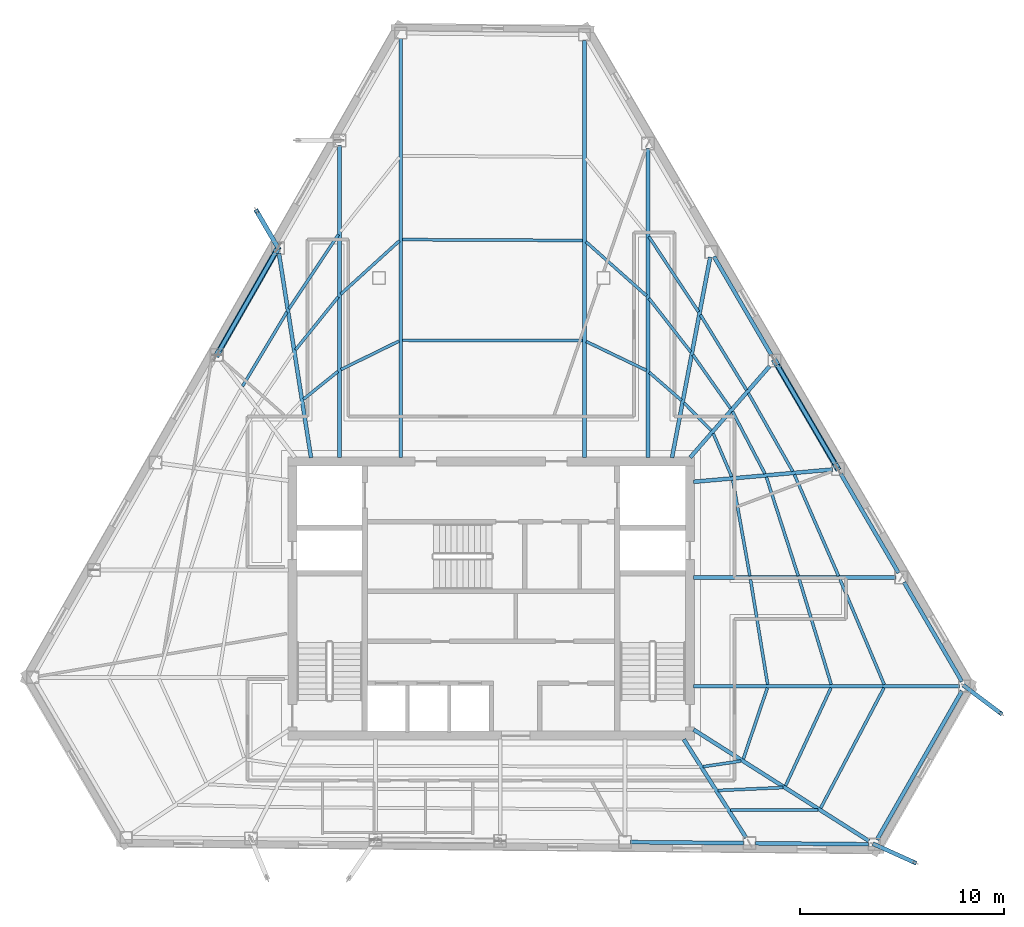
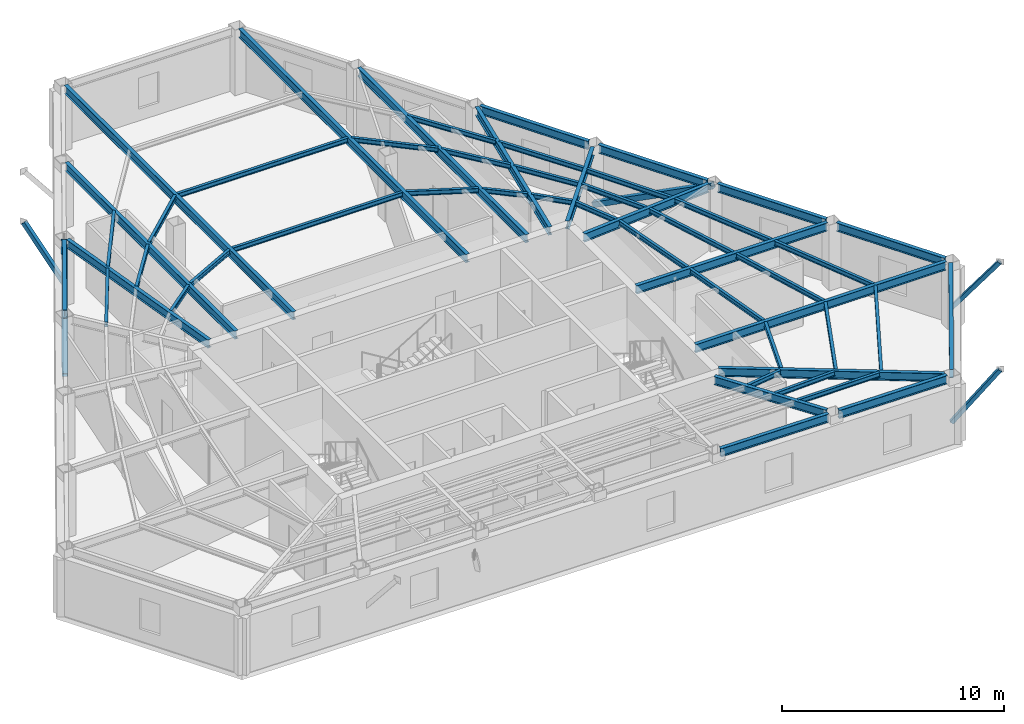
# One storey, part 2 of 10: 51 beams, 5 members.
"""IFC4 building model written with IfcOpenShell, lengths in metres."""

from ifc_helpers import new_model, si_unit, direction, frame, origin, origin_2d, place, context, subcontext, project, spatial, hollow_rectangle, i_section, extrude, material, material_profile, profile_set, type_object, element, save


model = new_model("IFC4")

# Units and contexts
model_context = context("Model", 3, precision=1e-05, world=origin(), true_north=direction((0.0, 1.0)))
body_context = subcontext(model_context, "Body", "Model", "MODEL_VIEW")
ifc_project = project(units=[si_unit("LENGTHUNIT", "METRE"), si_unit("AREAUNIT", "SQUARE_METRE"), si_unit("VOLUMEUNIT", "CUBIC_METRE"), si_unit("PLANEANGLEUNIT", "RADIAN"), si_unit("MASSUNIT", "GRAM", prefix="KILO")], contexts=[model_context])

# Site, building, storey
site_placement = place(None, origin())
site = spatial("IfcSite", under=ifc_project, at=site_placement, CompositionType="ELEMENT")
building_placement = place(site_placement, origin())
building = spatial("IfcBuilding", under=site, at=building_placement, Name="Kavelnor Concourse Tower", CompositionType="ELEMENT")
storey_placement = place(building_placement, frame((0.0, 0.0, 188.10009765625)))
storey = spatial("IfcBuildingStorey", under=building, at=storey_placement, Name="L47", CompositionType="ELEMENT", Elevation=188.10009765625)

# Beams
ifc_material = material(Name="Steel Grade 350", Category="steel")
ifc_material_profile_1 = material_profile(ifc_material, i_section(OverallWidth=0.14599609375, OverallDepth=0.256103515625, WebThickness=0.00634765625, FlangeThickness=0.010986328125, at=origin_2d()), Name="250UB37")
ifc_profile_set_1 = profile_set([ifc_material_profile_1], Name="Steel Grade 350")
beam_type_1 = type_object("IfcBeamType", Name="BM-JOIST-250", PredefinedType="JOIST", material=ifc_profile_set_1)
beam_1_placement = place(storey_placement, frame((48.389892578125, 7.85595703125, 3.471923828125), z_axis=(0.989227943882, 0.146383315454, 0.0), x_axis=(-0.146383315454, 0.989227943882, 0.0)))
element("IfcBeam", 1, at=beam_1_placement, inside=storey, type_object=beam_type_1, Name="L47 Secondary Composite Joist 07-1", PredefinedType="JOIST", context=body_context, shape_type="SweptSolid", body=[
    extrude(i_section(OverallWidth=0.14599609375, OverallDepth=0.256103515625, WebThickness=0.00634765625, FlangeThickness=0.010986328125, at=origin_2d()), origin(), (0.0, 0.0, 1.0), 1.873046875),
])
beam_2_placement = place(storey_placement, frame((49.12353515625, 6.689208984375, 3.471923828125), z_axis=(0.999016375908, 0.044342763421, 0.0), x_axis=(-0.044342763421, 0.999016375908, 0.0)))
element("IfcBeam", 2, at=beam_2_placement, inside=storey, type_object=beam_type_1, Name="L47 Secondary Composite Joist 07-2", PredefinedType="JOIST", context=body_context, shape_type="SweptSolid", body=[
    extrude(i_section(OverallWidth=0.14599609375, OverallDepth=0.256103515625, WebThickness=0.00634765625, FlangeThickness=0.010986328125, at=origin_2d()), origin(), (0.0, 0.0, 1.0), 3.182373046875),
])
beam_3_placement = place(storey_placement, frame((49.734619140625, 5.720703125, 3.471923828125), z_axis=(0.999986266396, 0.005240898742, 0.0), x_axis=(-0.005240898742, 0.999986266396, 0.0)))
element("IfcBeam", 3, at=beam_3_placement, inside=storey, type_object=beam_type_1, Name="L47 Secondary Composite Joist 07-3", PredefinedType="JOIST", context=body_context, shape_type="SweptSolid", body=[
    extrude(i_section(OverallWidth=0.14599609375, OverallDepth=0.256103515625, WebThickness=0.00634765625, FlangeThickness=0.010986328125, at=origin_2d()), origin(), (0.0, 0.0, 1.0), 4.28564453125),
])
beam_4_placement = place(storey_placement, frame((50.359130859375, 8.2275390625, 3.471923828125), z_axis=(0.320581527689, 0.947220926766, 0.0), x_axis=(-0.947220926766, 0.320581527689, 0.0)))
element("IfcBeam", 4, at=beam_4_placement, inside=storey, type_object=beam_type_1, Name="L47 Secondary Composite Joist 08-1", PredefinedType="JOIST", context=body_context, shape_type="SweptSolid", body=[
    extrude(i_section(OverallWidth=0.14599609375, OverallDepth=0.256103515625, WebThickness=0.00634765625, FlangeThickness=0.010986328125, at=origin_2d()), origin(), (0.0, 0.0, 1.0), 3.681396484375),
])
beam_5_placement = place(storey_placement, frame((52.42919921875, 6.9150390625, 3.471923828125), z_axis=(0.420756326642, 0.907173695381, 0.0), x_axis=(-0.907173695381, 0.420756326642, 0.0)))
element("IfcBeam", 5, at=beam_5_placement, inside=storey, type_object=beam_type_1, Name="L47 Secondary Composite Joist 08-2", PredefinedType="JOIST", context=body_context, shape_type="SweptSolid", body=[
    extrude(i_section(OverallWidth=0.14599609375, OverallDepth=0.256103515625, WebThickness=0.00634765625, FlangeThickness=0.010986328125, at=origin_2d()), origin(), (0.0, 0.0, 1.0), 5.294677734375),
])
beam_6_placement = place(storey_placement, frame((54.150634765625, 5.822265625, 3.471923828125), z_axis=(0.466184079045, 0.884687744035, 0.0), x_axis=(-0.884687744035, 0.466184079045, 0.0)))
element("IfcBeam", 6, at=beam_6_placement, inside=storey, type_object=beam_type_1, Name="L47 Secondary Composite Joist 08-3", PredefinedType="JOIST", context=body_context, shape_type="SweptSolid", body=[
    extrude(i_section(OverallWidth=0.14599609375, OverallDepth=0.256103515625, WebThickness=0.00634765625, FlangeThickness=0.010986328125, at=origin_2d()), origin(), (0.0, 0.0, 1.0), 6.666748046875),
])
beam_7_placement = place(storey_placement, frame((51.553466796875, 11.88671875, 3.471923828125), z_axis=(-0.161209150441, 0.986920265175, 0.0), x_axis=(-0.986920265175, -0.161209150441, 0.0)))
element("IfcBeam", 7, at=beam_7_placement, inside=storey, type_object=beam_type_1, Name="L47 Secondary Composite Joist 09-1", PredefinedType="JOIST", context=body_context, shape_type="SweptSolid", body=[
    extrude(i_section(OverallWidth=0.14599609375, OverallDepth=0.256103515625, WebThickness=0.00634765625, FlangeThickness=0.010986328125, at=origin_2d()), origin(), (0.0, 0.0, 1.0), 5.214111328125),
])
beam_8_placement = place(storey_placement, frame((54.668701171875, 11.88427734375, 3.471923828125), z_axis=(-0.290367397807, 0.956915238822, 0.0), x_axis=(-0.956915238822, -0.290367397807, 0.0)))
element("IfcBeam", 8, at=beam_8_placement, inside=storey, type_object=beam_type_1, Name="L47 Secondary Composite Joist 09-2", PredefinedType="JOIST", context=body_context, shape_type="SweptSolid", body=[
    extrude(i_section(OverallWidth=0.14599609375, OverallDepth=0.256103515625, WebThickness=0.00634765625, FlangeThickness=0.010986328125, at=origin_2d()), origin(), (0.0, 0.0, 1.0), 5.3828125),
])
beam_9_placement = place(storey_placement, frame((57.265380859375, 11.881103515625, 3.471923828125), z_axis=(-0.387266616927, 0.921967769184, 0.0), x_axis=(-0.921967769184, -0.387266616927, 0.0)))
element("IfcBeam", 9, at=beam_9_placement, inside=storey, type_object=beam_type_1, Name="L47 Secondary Composite Joist 09-3", PredefinedType="JOIST", context=body_context, shape_type="SweptSolid", body=[
    extrude(i_section(OverallWidth=0.14599609375, OverallDepth=0.256103515625, WebThickness=0.00634765625, FlangeThickness=0.010986328125, at=origin_2d()), origin(), (0.0, 0.0, 1.0), 5.59375),
])
beam_10_placement = place(storey_placement, frame((50.682861328125, 17.2080078125, 3.471923828125), z_axis=(-0.175925472427, 0.98440348849, 0.0), x_axis=(-0.98440348849, -0.175925472427, 0.0)))
element("IfcBeam", 10, at=beam_10_placement, inside=storey, type_object=beam_type_1, Name="L47 Secondary Composite Joist 10-1", PredefinedType="JOIST", context=body_context, shape_type="SweptSolid", body=[
    extrude(i_section(OverallWidth=0.14599609375, OverallDepth=0.256103515625, WebThickness=0.00634765625, FlangeThickness=0.010986328125, at=origin_2d()), origin(), (0.0, 0.0, 1.0), 4.7626953125),
])
beam_11_placement = place(storey_placement, frame((53.052734375, 17.205078125, 3.471923828125), z_axis=(-0.306790920169, 0.951776933584, 0.0), x_axis=(-0.951776933584, -0.306790920169, 0.0)))
element("IfcBeam", 11, at=beam_11_placement, inside=storey, type_object=beam_type_1, Name="L47 Secondary Composite Joist 10-2", PredefinedType="JOIST", context=body_context, shape_type="SweptSolid", body=[
    extrude(i_section(OverallWidth=0.14599609375, OverallDepth=0.256103515625, WebThickness=0.00634765625, FlangeThickness=0.010986328125, at=origin_2d()), origin(), (0.0, 0.0, 1.0), 5.084228515625),
])
beam_12_placement = place(storey_placement, frame((55.029052734375, 17.201904296875, 3.471923828125), z_axis=(-0.399508707587, 0.916729399857, 0.0), x_axis=(-0.916729399857, -0.399508707587, 0.0)))
element("IfcBeam", 12, at=beam_12_placement, inside=storey, type_object=beam_type_1, Name="L47 Secondary Composite Joist 10-3", PredefinedType="JOIST", context=body_context, shape_type="SweptSolid", body=[
    extrude(i_section(OverallWidth=0.14599609375, OverallDepth=0.256103515625, WebThickness=0.00634765625, FlangeThickness=0.010986328125, at=origin_2d()), origin(), (0.0, 0.0, 1.0), 5.41748046875),
])
beam_13_placement = place(storey_placement, frame((49.794189453125, 22.06591796875, 3.471923828125), z_axis=(-0.394098342006, 0.919068276478, 0.0), x_axis=(-0.919068276478, -0.394098342006, 0.0)))
element("IfcBeam", 13, at=beam_13_placement, inside=storey, type_object=beam_type_1, Name="L47 Secondary Composite Joist 11-1", PredefinedType="JOIST", context=body_context, shape_type="SweptSolid", body=[
    extrude(i_section(OverallWidth=0.14599609375, OverallDepth=0.256103515625, WebThickness=0.00634765625, FlangeThickness=0.010986328125, at=origin_2d()), origin(), (0.0, 0.0, 1.0), 2.303955078125),
])
beam_14_placement = place(storey_placement, frame((51.42431640625, 22.2080078125, 3.471923828125), z_axis=(-0.463096135984, 0.88630805527, 0.0), x_axis=(-0.88630805527, -0.463096135984, 0.0)))
element("IfcBeam", 14, at=beam_14_placement, inside=storey, type_object=beam_type_1, Name="L47 Secondary Composite Joist 11-2", PredefinedType="JOIST", context=body_context, shape_type="SweptSolid", body=[
    extrude(i_section(OverallWidth=0.14599609375, OverallDepth=0.256103515625, WebThickness=0.00634765625, FlangeThickness=0.010986328125, at=origin_2d()), origin(), (0.0, 0.0, 1.0), 3.4462890625),
])
beam_15_placement = place(storey_placement, frame((52.785400390625, 22.3271484375, 3.471923828125), z_axis=(-0.493356370439, 0.869827276962, 0.0), x_axis=(-0.869827276962, -0.493356370439, 0.0)))
element("IfcBeam", 15, at=beam_15_placement, inside=storey, type_object=beam_type_1, Name="L47 Secondary Composite Joist 11-3", PredefinedType="JOIST", context=body_context, shape_type="SweptSolid", body=[
    extrude(i_section(OverallWidth=0.14599609375, OverallDepth=0.256103515625, WebThickness=0.00634765625, FlangeThickness=0.010986328125, at=origin_2d()), origin(), (0.0, 0.0, 1.0), 4.4072265625),
])
beam_16_placement = place(storey_placement, frame((48.788818359375, 24.32861328125, 3.471923828125), z_axis=(-0.700669571073, 0.713485915889, 0.0), x_axis=(-0.713485915889, -0.700669571073, 0.0)))
element("IfcBeam", 16, at=beam_16_placement, inside=storey, type_object=beam_type_1, Name="L47 Secondary Composite Joist 12-1", PredefinedType="JOIST", context=body_context, shape_type="SweptSolid", body=[
    extrude(i_section(OverallWidth=0.14599609375, OverallDepth=0.256103515625, WebThickness=0.00634765625, FlangeThickness=0.010986328125, at=origin_2d()), origin(), (0.0, 0.0, 1.0), 1.905029296875),
])
beam_17_placement = place(storey_placement, frame((49.73583984375, 25.4140625, 3.471923828125), z_axis=(-0.57523488902, 0.8179882777, 0.0), x_axis=(-0.8179882777, -0.57523488902, 0.0)))
element("IfcBeam", 17, at=beam_17_placement, inside=storey, type_object=beam_type_1, Name="L47 Secondary Composite Joist 12-2", PredefinedType="JOIST", context=body_context, shape_type="SweptSolid", body=[
    extrude(i_section(OverallWidth=0.14599609375, OverallDepth=0.256103515625, WebThickness=0.00634765625, FlangeThickness=0.010986328125, at=origin_2d()), origin(), (0.0, 0.0, 1.0), 3.205322265625),
])
beam_18_placement = place(storey_placement, frame((50.5205078125, 26.31396484375, 3.471923828125), z_axis=(-0.52274753306, 0.852487546348, 0.0), x_axis=(-0.852487546348, -0.52274753306, 0.0)))
element("IfcBeam", 18, at=beam_18_placement, inside=storey, type_object=beam_type_1, Name="L47 Secondary Composite Joist 12-3", PredefinedType="JOIST", context=body_context, shape_type="SweptSolid", body=[
    extrude(i_section(OverallWidth=0.14599609375, OverallDepth=0.256103515625, WebThickness=0.00634765625, FlangeThickness=0.010986328125, at=origin_2d()), origin(), (0.0, 0.0, 1.0), 4.321044921875),
])
beam_19_placement = place(storey_placement, frame((47.32470703125, 25.809814453125, 3.471923828125), z_axis=(-0.753532081517, 0.657411136295, 0.0), x_axis=(-0.657411136295, -0.753532081517, 0.0)))
element("IfcBeam", 19, at=beam_19_placement, inside=storey, type_object=beam_type_1, Name="L47 Secondary Composite Joist 13-1", PredefinedType="JOIST", context=body_context, shape_type="SweptSolid", body=[
    extrude(i_section(OverallWidth=0.14599609375, OverallDepth=0.256103515625, WebThickness=0.00634765625, FlangeThickness=0.010986328125, at=origin_2d()), origin(), (0.0, 0.0, 1.0), 2.087890625),
])
beam_20_placement = place(storey_placement, frame((47.786376953125, 28.178955078125, 3.471923828125), z_axis=(-0.614757382172, 0.788716274122, 0.0), x_axis=(-0.788716274122, -0.614757382172, 0.0)))
element("IfcBeam", 20, at=beam_20_placement, inside=storey, type_object=beam_type_1, Name="L47 Secondary Composite Joist 13-2", PredefinedType="JOIST", context=body_context, shape_type="SweptSolid", body=[
    extrude(i_section(OverallWidth=0.14599609375, OverallDepth=0.256103515625, WebThickness=0.00634765625, FlangeThickness=0.010986328125, at=origin_2d()), origin(), (0.0, 0.0, 1.0), 3.330322265625),
])
beam_21_placement = place(storey_placement, frame((48.166259765625, 30.147705078125, 3.471923828125), z_axis=(-0.551159632026, 0.834399820245, 0.0), x_axis=(-0.834399820245, -0.551159632026, 0.0)))
element("IfcBeam", 21, at=beam_21_placement, inside=storey, type_object=beam_type_1, Name="L47 Secondary Composite Joist 13-3", PredefinedType="JOIST", context=body_context, shape_type="SweptSolid", body=[
    extrude(i_section(OverallWidth=0.14599609375, OverallDepth=0.256103515625, WebThickness=0.00634765625, FlangeThickness=0.010986328125, at=origin_2d()), origin(), (0.0, 0.0, 1.0), 4.4140625),
])
beam_22_placement = place(storey_placement, frame((45.604248046875, 27.279296875, 3.471923828125), z_axis=(-0.901546386745, 0.432682461566, 0.0), x_axis=(-0.432682461566, -0.901546386745, 0.0)))
element("IfcBeam", 22, at=beam_22_placement, inside=storey, type_object=beam_type_1, Name="L47 Secondary Composite Joist 14-1", PredefinedType="JOIST", context=body_context, shape_type="SweptSolid", body=[
    extrude(i_section(OverallWidth=0.14599609375, OverallDepth=0.256103515625, WebThickness=0.00634765625, FlangeThickness=0.010986328125, at=origin_2d()), origin(), (0.0, 0.0, 1.0), 3.265869140625),
])
beam_23_placement = place(storey_placement, frame((45.617919921875, 30.93505859375, 3.471923828125), z_axis=(-0.74653909745, 0.665341548364, 0.0), x_axis=(-0.665341548364, -0.74653909745, 0.0)))
element("IfcBeam", 23, at=beam_23_placement, inside=storey, type_object=beam_type_1, Name="L47 Secondary Composite Joist 14-2", PredefinedType="JOIST", context=body_context, shape_type="SweptSolid", body=[
    extrude(i_section(OverallWidth=0.14599609375, OverallDepth=0.256103515625, WebThickness=0.00634765625, FlangeThickness=0.010986328125, at=origin_2d()), origin(), (0.0, 0.0, 1.0), 3.98095703125),
])
for number, where, z_axis, x_axis, name in (
    (24, (42.49072265625, 28.731201171875, 3.471923828125), (-0.999996693772, 0.00257146747, 0.0), (-0.00257146747, -0.999996693772, 0.0), "L47 Secondary Composite Joist 15-1"),
    (25, (42.49072265625, 33.6435546875, 3.471923828125), (-0.999988691147, 0.004755794251, 0.0), (-0.004755794251, -0.999988691147, 0.0), "L47 Secondary Composite Joist 15-2"),
):
    element("IfcBeam", number, at=place(storey_placement, frame(where, z_axis=z_axis, x_axis=x_axis)), inside=storey, type_object=beam_type_1, Name=name, PredefinedType="JOIST", context=body_context, shape_type="SweptSolid", body=[
        extrude(i_section(OverallWidth=0.14599609375, OverallDepth=0.256103515625, WebThickness=0.00634765625, FlangeThickness=0.010986328125, at=origin_2d()), origin(), (0.0, 0.0, 1.0), 8.82958984375),
    ])
beam_24_placement = place(storey_placement, frame((33.4921875, 28.71484375, 3.471923828125), z_axis=(-0.897911769378, -0.440175481386, 0.0), x_axis=(0.440175481386, -0.897911769378, 0.0)))
element("IfcBeam", 26, at=beam_24_placement, inside=storey, type_object=beam_type_1, Name="L47 Secondary Composite Joist 16-1", PredefinedType="JOIST", context=body_context, shape_type="SweptSolid", body=[
    extrude(i_section(OverallWidth=0.14599609375, OverallDepth=0.256103515625, WebThickness=0.00634765625, FlangeThickness=0.010986328125, at=origin_2d()), origin(), (0.0, 0.0, 1.0), 3.169677734375),
])
beam_25_placement = place(storey_placement, frame((33.50634765625, 33.626220703125, 3.471923828125), z_axis=(-0.739459615464, -0.673200918818, 0.0), x_axis=(0.673200918818, -0.739459615464, 0.0)))
element("IfcBeam", 27, at=beam_25_placement, inside=storey, type_object=beam_type_1, Name="L47 Secondary Composite Joist 16-2", PredefinedType="JOIST", context=body_context, shape_type="SweptSolid", body=[
    extrude(i_section(OverallWidth=0.14599609375, OverallDepth=0.256103515625, WebThickness=0.00634765625, FlangeThickness=0.010986328125, at=origin_2d()), origin(), (0.0, 0.0, 1.0), 3.88720703125),
])
beam_26_placement = place(storey_placement, frame((30.49658203125, 27.224609375, 3.471923828125), z_axis=(-0.779089338123, -0.626912915183, 0.0), x_axis=(0.626912915183, -0.779089338123, 0.0)))
element("IfcBeam", 28, at=beam_26_placement, inside=storey, type_object=beam_type_1, Name="L47 Secondary Composite Joist 17-1", PredefinedType="JOIST", context=body_context, shape_type="SweptSolid", body=[
    extrude(i_section(OverallWidth=0.14599609375, OverallDepth=0.256103515625, WebThickness=0.00634765625, FlangeThickness=0.010986328125, at=origin_2d()), origin(), (0.0, 0.0, 1.0), 2.17236328125),
])
beam_27_placement = place(storey_placement, frame((30.510009765625, 30.880126953125, 3.471923828125), z_axis=(-0.628139667074, -0.778100609592, 0.0), x_axis=(0.778100609592, -0.628139667074, 0.0)))
element("IfcBeam", 29, at=beam_27_placement, inside=storey, type_object=beam_type_1, Name="L47 Secondary Composite Joist 17-2", PredefinedType="JOIST", context=body_context, shape_type="SweptSolid", body=[
    extrude(i_section(OverallWidth=0.14599609375, OverallDepth=0.256103515625, WebThickness=0.00634765625, FlangeThickness=0.010986328125, at=origin_2d()), origin(), (0.0, 0.0, 1.0), 3.339111328125),
])
beam_28_placement = place(storey_placement, frame((30.5166015625, 33.9326171875, 3.471923828125), z_axis=(-0.554378228594, -0.832264849469, 0.0), x_axis=(0.832264849469, -0.554378228594, 0.0)))
element("IfcBeam", 30, at=beam_28_placement, inside=storey, type_object=beam_type_1, Name="L47 Secondary Composite Joist 17-3", PredefinedType="JOIST", context=body_context, shape_type="SweptSolid", body=[
    extrude(i_section(OverallWidth=0.14599609375, OverallDepth=0.256103515625, WebThickness=0.00634765625, FlangeThickness=0.010986328125, at=origin_2d()), origin(), (0.0, 0.0, 1.0), 4.375244140625),
])
beam_29_placement = place(storey_placement, frame((27.99609375, 30.140869140625, 3.471923828125), z_axis=(-0.513377976738, -0.858162602891, 0.0), x_axis=(0.858162602891, -0.513377976738, 0.0)))
element("IfcBeam", 31, at=beam_29_placement, inside=storey, type_object=beam_type_1, Name="L47 Secondary Composite Joist 18-3", PredefinedType="JOIST", context=body_context, shape_type="SweptSolid", body=[
    extrude(i_section(OverallWidth=0.14599609375, OverallDepth=0.256103515625, WebThickness=0.00634765625, FlangeThickness=0.010986328125, at=origin_2d()), origin(), (0.0, 0.0, 1.0), 4.241455078125),
])
ifc_material_profile_2 = material_profile(ifc_material, i_section(OverallWidth=0.18994140625, OverallDepth=0.4541015625, WebThickness=0.008544921875, FlangeThickness=0.0126953125, at=origin_2d()), Name="460UB67")
ifc_profile_set_2 = profile_set([ifc_material_profile_2], Name="Steel Grade 350")
beam_type_2 = type_object("IfcBeamType", Name="BM-PRIMARY-460", PredefinedType="BEAM", material=ifc_profile_set_2)
beam_30_placement = place(storey_placement, frame((33.572265625, 23.0, 3.372802734375), z_axis=(0.0, 1.0, 0.0), x_axis=(-1.0, 0.0, 0.0)))
element("IfcBeam", 32, at=beam_30_placement, inside=storey, type_object=beam_type_2, Name="L47 Primary Floor Girder F0-B0", PredefinedType="BEAM", context=body_context, shape_type="SweptSolid", body=[
    extrude(i_section(OverallWidth=0.18994140625, OverallDepth=0.4541015625, WebThickness=0.008544921875, FlangeThickness=0.0126953125, at=origin_2d()), origin(), (0.0, 0.0, 1.0), 20.550048828125),
])
beam_31_placement = place(storey_placement, frame((30.56591796875, 23.0, 3.372802734375), z_axis=(0.0, 1.0, 0.0), x_axis=(-1.0, 0.0, 0.0)))
element("IfcBeam", 33, at=beam_31_placement, inside=storey, type_object=beam_type_2, Name="L47 Primary Floor Girder F0-B1", PredefinedType="BEAM", context=body_context, shape_type="SweptSolid", body=[
    extrude(i_section(OverallWidth=0.18994140625, OverallDepth=0.4541015625, WebThickness=0.008544921875, FlangeThickness=0.0126953125, at=origin_2d()), origin(), (0.0, 0.0, 1.0), 15.287109375),
])
beam_32_placement = place(storey_placement, frame((29.17578125, 23.00048828125, 3.372802734375), z_axis=(-0.155226092752, 0.987878970385, 0.0), x_axis=(-0.987878970385, -0.155226092752, 0.0)))
element("IfcBeam", 34, at=beam_32_placement, inside=storey, type_object=beam_type_2, Name="L47 Primary Floor Girder F0-B2", PredefinedType="BEAM", context=body_context, shape_type="SweptSolid", body=[
    extrude(i_section(OverallWidth=0.18994140625, OverallDepth=0.4541015625, WebThickness=0.008544921875, FlangeThickness=0.0126953125, at=origin_2d()), origin(), (0.0, 0.0, 1.0), 10.146240234375),
])
beam_33_placement = place(storey_placement, frame((47.44677734375, 9.19384765625, 3.372802734375), z_axis=(0.534829281869, -0.844960140631, 0.0), x_axis=(0.844960140631, 0.534829281869, 0.0)))
element("IfcBeam", 35, at=beam_33_placement, inside=storey, type_object=beam_type_2, Name="L47 Primary Floor Girder F1-B5", PredefinedType="BEAM", context=body_context, shape_type="SweptSolid", body=[
    extrude(i_section(OverallWidth=0.18994140625, OverallDepth=0.4541015625, WebThickness=0.008544921875, FlangeThickness=0.0126953125, at=origin_2d()), origin(), (0.0, 0.0, 1.0), 5.709716796875),
])
beam_34_placement = place(storey_placement, frame((47.92626953125, 9.67041015625, 3.372802734375), z_axis=(0.844133513898, -0.536133015878, 0.0), x_axis=(0.536133015878, 0.844133513898, 0.0)))
element("IfcBeam", 36, at=beam_34_placement, inside=storey, type_object=beam_type_2, Name="L47 Primary Floor Girder F1-B6", PredefinedType="BEAM", context=body_context, shape_type="SweptSolid", body=[
    extrude(i_section(OverallWidth=0.18994140625, OverallDepth=0.4541015625, WebThickness=0.008544921875, FlangeThickness=0.0126953125, at=origin_2d()), origin(), (0.0, 0.0, 1.0), 10.173095703125),
])
beam_35_placement = place(storey_placement, frame((47.919921875, 11.799072265625, 3.372802734375), z_axis=(1.0, 0.0, 0.0), x_axis=(0.0, 1.0, 0.0)))
element("IfcBeam", 37, at=beam_35_placement, inside=storey, type_object=beam_type_2, Name="L47 Primary Floor Girder F2-B0", PredefinedType="BEAM", context=body_context, shape_type="SweptSolid", body=[
    extrude(i_section(OverallWidth=0.18994140625, OverallDepth=0.4541015625, WebThickness=0.008544921875, FlangeThickness=0.0126953125, at=origin_2d()), origin(), (0.0, 0.0, 1.0), 13.02783203125),
])
beam_36_placement = place(storey_placement, frame((47.919921875, 17.120361328125, 3.372802734375), z_axis=(1.0, 0.0, 0.0), x_axis=(0.0, 1.0, 0.0)))
element("IfcBeam", 38, at=beam_36_placement, inside=storey, type_object=beam_type_2, Name="L47 Primary Floor Girder F2-B1", PredefinedType="BEAM", context=body_context, shape_type="SweptSolid", body=[
    extrude(i_section(OverallWidth=0.18994140625, OverallDepth=0.4541015625, WebThickness=0.008544921875, FlangeThickness=0.0126953125, at=origin_2d()), origin(), (0.0, 0.0, 1.0), 9.923095703125),
])
beam_37_placement = place(storey_placement, frame((47.920166015625, 21.815185546875, 3.372802734375), z_axis=(0.996105287463, 0.088171743138, 0.0), x_axis=(-0.088171743138, 0.996105287463, 0.0)))
element("IfcBeam", 39, at=beam_37_placement, inside=storey, type_object=beam_type_2, Name="L47 Primary Floor Girder F2-B2", PredefinedType="BEAM", context=body_context, shape_type="SweptSolid", body=[
    extrude(i_section(OverallWidth=0.18994140625, OverallDepth=0.4541015625, WebThickness=0.008544921875, FlangeThickness=0.0126953125, at=origin_2d()), origin(), (0.0, 0.0, 1.0), 6.8447265625),
])
beam_38_placement = place(storey_placement, frame((47.75927734375, 23.009765625, 3.372802734375), z_axis=(0.656259069004, 0.754535641537, 0.0), x_axis=(-0.754535641537, 0.656259069004, 0.0)))
element("IfcBeam", 40, at=beam_38_placement, inside=storey, type_object=beam_type_2, Name="L47 Primary Floor Girder F2-B3", PredefinedType="BEAM", context=body_context, shape_type="SweptSolid", body=[
    extrude(i_section(OverallWidth=0.18994140625, OverallDepth=0.4541015625, WebThickness=0.008544921875, FlangeThickness=0.0126953125, at=origin_2d()), origin(), (0.0, 0.0, 1.0), 5.942138671875),
])
beam_39_placement = place(storey_placement, frame((46.867919921875, 23.000732421875, 3.372802734375), z_axis=(0.187135667376, 0.982334078609, 0.0), x_axis=(-0.982334078609, 0.187135667376, 0.0)))
element("IfcBeam", 41, at=beam_39_placement, inside=storey, type_object=beam_type_2, Name="L47 Primary Floor Girder F2-B4", PredefinedType="BEAM", context=body_context, shape_type="SweptSolid", body=[
    extrude(i_section(OverallWidth=0.18994140625, OverallDepth=0.4541015625, WebThickness=0.008544921875, FlangeThickness=0.0126953125, at=origin_2d()), origin(), (0.0, 0.0, 1.0), 10.0),
])
beam_40_placement = place(storey_placement, frame((45.684326171875, 23.0, 3.372802734375), z_axis=(0.0, 1.0, 0.0), x_axis=(-1.0, 0.0, 0.0)))
element("IfcBeam", 42, at=beam_40_placement, inside=storey, type_object=beam_type_2, Name="L47 Primary Floor Girder F2-B5", PredefinedType="BEAM", context=body_context, shape_type="SweptSolid", body=[
    extrude(i_section(OverallWidth=0.18994140625, OverallDepth=0.4541015625, WebThickness=0.008544921875, FlangeThickness=0.0126953125, at=origin_2d()), origin(), (0.0, 0.0, 1.0), 15.14599609375),
])
beam_41_placement = place(storey_placement, frame((42.57958984375, 23.0, 3.372802734375), z_axis=(0.0, 1.0, 0.0), x_axis=(-1.0, 0.0, 0.0)))
element("IfcBeam", 43, at=beam_41_placement, inside=storey, type_object=beam_type_2, Name="L47 Primary Floor Girder F2-B6", PredefinedType="BEAM", context=body_context, shape_type="SweptSolid", body=[
    extrude(i_section(OverallWidth=0.18994140625, OverallDepth=0.4541015625, WebThickness=0.008544921875, FlangeThickness=0.0126953125, at=origin_2d()), origin(), (0.0, 0.0, 1.0), 20.46728515625),
])
ifc_material_profile_3 = material_profile(ifc_material, i_section(OverallWidth=0.19091796875, OverallDepth=0.4599609375, WebThickness=0.010009765625, FlangeThickness=0.01611328125, at=origin_2d()), Name="460UB82")
ifc_profile_set_3 = profile_set([ifc_material_profile_3], Name="Steel Grade 350")
beam_type_3 = type_object("IfcBeamType", Name="BM-SPANDREL-Z3", PredefinedType="SPANDREL", material=ifc_profile_set_3)
beam_42_placement = place(storey_placement, frame((27.428466796875, 33.05419921875, 3.369873046875), z_axis=(-0.496020090717, -0.868311044272, 0.0), x_axis=(0.868311044272, -0.496020090717, 0.0)))
element("IfcBeam", 44, at=beam_42_placement, inside=storey, type_object=beam_type_3, Name="L47 Perimeter Tube Spandrel Beam F0-B2", PredefinedType="SPANDREL", context=body_context, shape_type="SweptSolid", body=[
    extrude(i_section(OverallWidth=0.19091796875, OverallDepth=0.4599609375, WebThickness=0.010009765625, FlangeThickness=0.01611328125, at=origin_2d()), origin(), (0.0, 0.0, 1.0), 5.53076171875),
])
for number, where, z_axis, x_axis, name in (
    (45, (44.8232421875, 4.156982421875, 3.369873046875), (0.99995780445, -0.009186365936, 0.0), (0.009186365936, 0.99995780445, 0.0), "L47 Perimeter Tube Spandrel Beam F1-B4"),
    (46, (50.93408203125, 4.100830078125, 3.369873046875), (0.999958205331, -0.009142625002, 0.0), (0.009142625002, 0.999958205331, 0.0), "L47 Perimeter Tube Spandrel Beam F1-B5"),
):
    element("IfcBeam", number, at=place(storey_placement, frame(where, z_axis=z_axis, x_axis=x_axis)), inside=storey, type_object=beam_type_3, Name=name, PredefinedType="SPANDREL", context=body_context, shape_type="SweptSolid", body=[
        extrude(i_section(OverallWidth=0.19091796875, OverallDepth=0.4599609375, WebThickness=0.010009765625, FlangeThickness=0.01611328125, at=origin_2d()), origin(), (0.0, 0.0, 1.0), 5.5810546875),
    ])
beam_43_placement = place(storey_placement, frame((61.07421875, 12.02783203125, 3.369873046875), z_axis=(-0.50393033037, 0.863744303676, 0.0), x_axis=(-0.863744303676, -0.50393033037, 0.0)))
element("IfcBeam", 47, at=beam_43_placement, inside=storey, type_object=beam_type_3, Name="L47 Perimeter Tube Spandrel Beam F2-B0", PredefinedType="SPANDREL", context=body_context, shape_type="SweptSolid", body=[
    extrude(i_section(OverallWidth=0.19091796875, OverallDepth=0.4599609375, WebThickness=0.010009765625, FlangeThickness=0.01611328125, at=origin_2d()), origin(), (0.0, 0.0, 1.0), 5.631103515625),
])
for number, where, z_axis, x_axis, name in (
    (48, (57.969482421875, 17.349365234375, 3.369873046875), (-0.503949202523, 0.863733292907, 0.0), (-0.863733292907, -0.503949202523, 0.0), "L47 Perimeter Tube Spandrel Beam F2-B1"),
    (49, (54.864990234375, 22.670654296875, 3.369873046875), (-0.503981548004, 0.863714419974, 0.0), (-0.863714419974, -0.503981548004, 0.0), "L47 Perimeter Tube Spandrel Beam F2-B2"),
    (50, (51.76025390625, 27.9921875, 3.369873046875), (-0.503949202523, 0.863733292907, 0.0), (-0.863733292907, -0.503949202523, 0.0), "L47 Perimeter Tube Spandrel Beam F2-B3"),
):
    element("IfcBeam", number, at=place(storey_placement, frame(where, z_axis=z_axis, x_axis=x_axis)), inside=storey, type_object=beam_type_3, Name=name, PredefinedType="SPANDREL", context=body_context, shape_type="SweptSolid", body=[
        extrude(i_section(OverallWidth=0.19091796875, OverallDepth=0.4599609375, WebThickness=0.010009765625, FlangeThickness=0.01611328125, at=origin_2d()), origin(), (0.0, 0.0, 1.0), 5.630859375),
    ])
beam_44_placement = place(storey_placement, frame((56.911376953125, 4.27734375, 3.369873046875), z_axis=(0.496001166434, 0.868321854439, 0.0), x_axis=(-0.868321854439, 0.496001166434, 0.0)))
element("IfcBeam", 51, at=beam_44_placement, inside=storey, type_object=beam_type_3, Name="L47 Chamfer Facet Spandrel Beam C2", PredefinedType="SPANDREL", context=body_context, shape_type="SweptSolid", body=[
    extrude(i_section(OverallWidth=0.19091796875, OverallDepth=0.4599609375, WebThickness=0.010009765625, FlangeThickness=0.01611328125, at=origin_2d()), origin(), (0.0, 0.0, 1.0), 8.397216796875),
])

# Members
ifc_material_profile_4 = material_profile(ifc_material, hollow_rectangle(XDim=0.219970703125, YDim=0.219970703125, WallThickness=0.013916015625, at=origin_2d()), Name="SHS 220x220x14")
ifc_profile_set_4 = profile_set([ifc_material_profile_4], Name="Steel Grade 350")
member_type_1 = type_object("IfcMemberType", Name="MBR-BALC-STRUT-220", PredefinedType="STRUT", material=ifc_profile_set_4)
member_1_placement = place(storey_placement, frame((27.559814453125, 33.2841796875, 1.0498046875), z_axis=(-0.315682839769, 0.539958788246, 0.780249224076), x_axis=(-0.863286606064, -0.504714013865, 0.0)))
element("IfcMember", 52, at=member_1_placement, inside=storey, type_object=member_type_1, Name="L47 Tree Balcony Raking Knee Strut 1-B", PredefinedType="STRUT", context=body_context, shape_type="SweptSolid", body=[
    extrude(hollow_rectangle(XDim=0.219970703125, YDim=0.219970703125, WallThickness=0.013916015625, at=origin_2d()), origin(), (0.0, 0.0, 1.0), 3.338623046875),
])
ifc_material_profile_5 = material_profile(ifc_material, hollow_rectangle(XDim=0.199951171875, YDim=0.199951171875, WallThickness=0.011962890625, at=origin_2d()), Name="SHS 200x200x12")
ifc_profile_set_5 = profile_set([ifc_material_profile_5], Name="Steel Grade 350")
member_type_2 = type_object("IfcMemberType", Name="MBR-TERR-STRUT-200", PredefinedType="STRUT", material=ifc_profile_set_5)
member_2_placement = place(storey_placement, frame((56.77978515625, 4.04736328125, 0.89990234375), z_axis=(0.569452176702, -0.256598538676, 0.780949043407), x_axis=(0.41082404552, 0.911714650328, 0.0)))
element("IfcMember", 53, at=member_2_placement, inside=storey, type_object=member_type_2, Name="L47 Spiral Terrace Raking Knee Strut C2-A", PredefinedType="STRUT", context=body_context, shape_type="SweptSolid", body=[
    extrude(hollow_rectangle(XDim=0.199951171875, YDim=0.199951171875, WallThickness=0.011962890625, at=origin_2d()), origin(), (0.0, 0.0, 1.0), 3.502197265625),
])
member_3_placement = place(storey_placement, frame((61.207763671875, 11.799072265625, 0.89990234375), z_axis=(0.503829979486, -0.379725055329, 0.775863540918), x_axis=(0.60187763414, 0.798588325436, 0.0)))
element("IfcMember", 54, at=member_3_placement, inside=storey, type_object=member_type_2, Name="L47 Spiral Terrace Raking Knee Strut C2-B", PredefinedType="STRUT", context=body_context, shape_type="SweptSolid", body=[
    extrude(hollow_rectangle(XDim=0.199951171875, YDim=0.199951171875, WallThickness=0.011962890625, at=origin_2d()), origin(), (0.0, 0.0, 1.0), 3.525146484375),
])
ifc_material_profile_6 = material_profile(ifc_material, hollow_rectangle(XDim=0.280029296875, YDim=0.280029296875, WallThickness=0.01611328125, at=origin_2d()), Name="SHS 280x280x16")
ifc_profile_set_6 = profile_set([ifc_material_profile_6], Name="Steel Grade 350")
member_type_3 = type_object("IfcMemberType", Name="MBR-TUBE-DIAG-Z3", PredefinedType="BRACE", material=ifc_profile_set_6)
member_4_placement = place(storey_placement, frame((24.5537109375, 28.021484375, 0.219970703125), z_axis=(0.44010584678, 0.770480113147, 0.461158583217), x_axis=(-0.868324934347, 0.495995774569, 0.0)))
element("IfcMember", 55, at=member_4_placement, inside=storey, type_object=member_type_3, Name="L47 Framed-Tube Bracing Diagonal F0-B2", PredefinedType="BRACE", context=body_context, shape_type="SweptSolid", body=[
    extrude(hollow_rectangle(XDim=0.280029296875, YDim=0.280029296875, WallThickness=0.01611328125, at=origin_2d()), origin(), (0.0, 0.0, 1.0), 6.830322265625),
])
member_5_placement = place(storey_placement, frame((51.893798828125, 27.76318359375, 0.219970703125), z_axis=(0.448675354373, -0.769056938023, 0.455238237033), x_axis=(0.863750153185, 0.503920304088, 0.0)))
element("IfcMember", 56, at=member_5_placement, inside=storey, type_object=member_type_3, Name="L47 Framed-Tube Bracing Diagonal F2-B2", PredefinedType="BRACE", context=body_context, shape_type="SweptSolid", body=[
    extrude(hollow_rectangle(XDim=0.280029296875, YDim=0.280029296875, WallThickness=0.01611328125, at=origin_2d()), origin(), (0.0, 0.0, 1.0), 6.919189453125),
])

save(model, "model.ifc")
